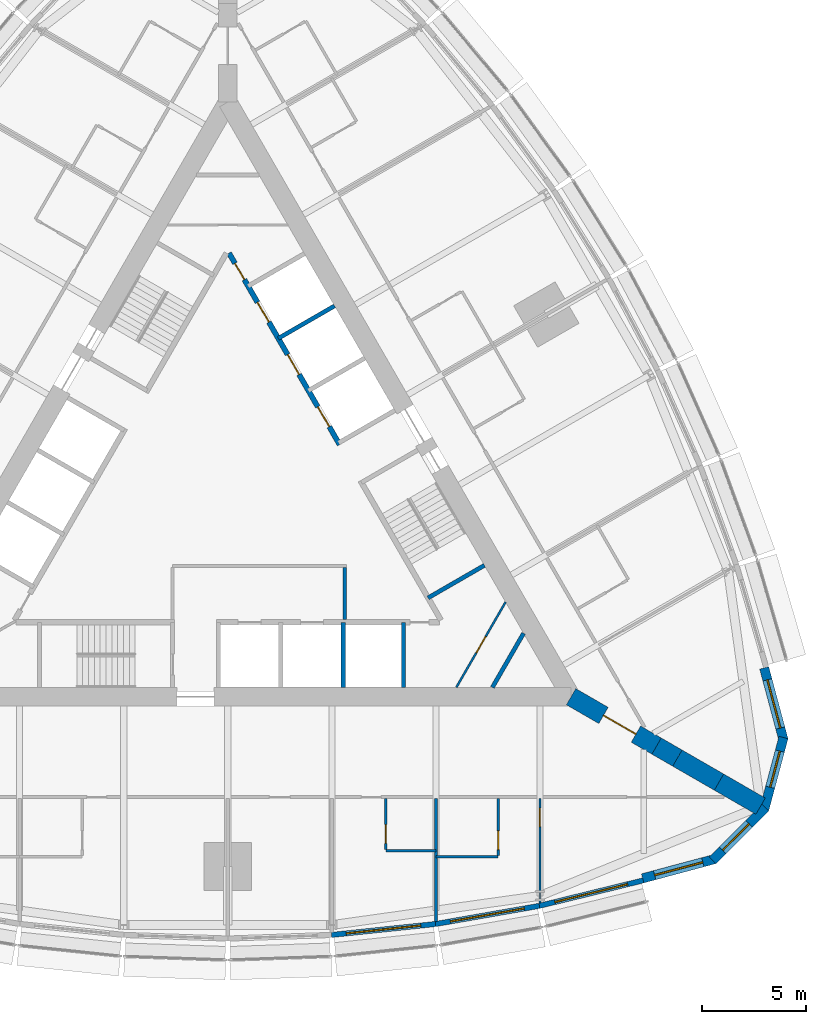
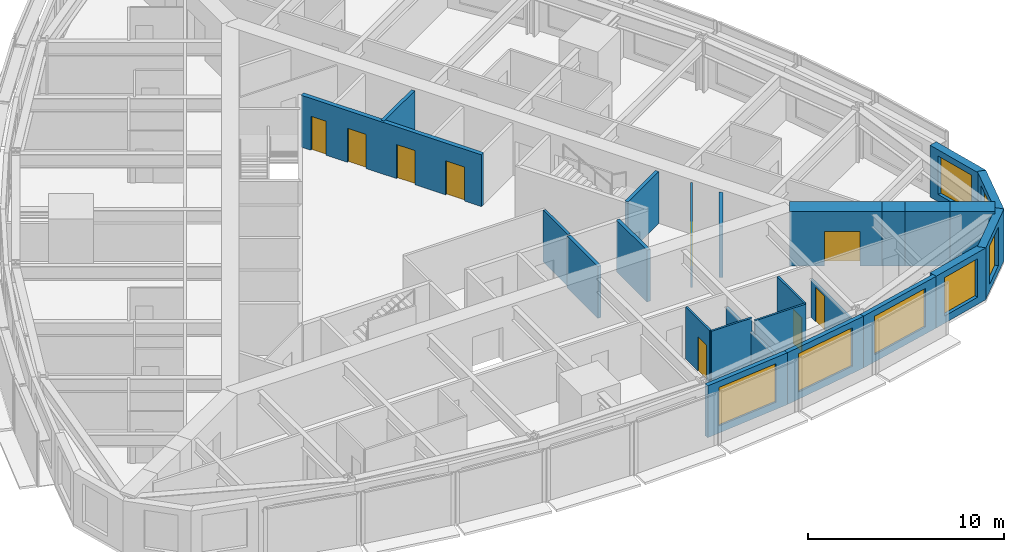
# One storey, part 10 of 14: 25 walls, 9 doors, 7 windows, 16 openings.
"""IFC4 building model written with IfcOpenShell, lengths in metres."""

from ifc_helpers import new_model, si_unit, direction, frame, frame_2d, origin, place, context, subcontext, project, spatial, polyline, rectangle, outline, extrude, material, layer, layer_set, type_object, element, fill, save


model = new_model("IFC4")

# Units and contexts
model_context = context("Model", 3, precision=1e-05, world=origin(), true_north=direction((0.0, 1.0)))
body_context = subcontext(model_context, "Body", "Model", "MODEL_VIEW")
ifc_project = project(units=[si_unit("LENGTHUNIT", "METRE"), si_unit("AREAUNIT", "SQUARE_METRE"), si_unit("VOLUMEUNIT", "CUBIC_METRE"), si_unit("PLANEANGLEUNIT", "RADIAN"), si_unit("MASSUNIT", "GRAM", prefix="KILO")], contexts=[model_context])

# Site, building, storey
site_placement = place(None, origin())
site = spatial("IfcSite", under=ifc_project, at=site_placement, CompositionType="ELEMENT")
building_placement = place(site_placement, origin())
building = spatial("IfcBuilding", under=site, at=building_placement, Name="Trikona Tower", CompositionType="ELEMENT")
storey_placement = place(building_placement, frame((0.0, 0.0, 158.89990234375)))
storey = spatial("IfcBuildingStorey", under=building, at=storey_placement, Name="L42", CompositionType="ELEMENT", Elevation=158.89990234375)

# Wall
ifc_material_1 = material(Name="Metal stud and cement board", Category="gypsum")
ifc_layer_1 = layer(ifc_material_1, 0.1201171875)
ifc_layer_set_1 = layer_set([ifc_layer_1], Name="Bathroom wall 120")
wall_type_1 = type_object("IfcWallType", Name="Bathroom wall 120", PredefinedType="PLUMBINGWALL", material=ifc_layer_set_1)
wall_1_placement = place(storey_placement, frame((7.60009765625, -16.92626953125, 0.0), z_axis=(0.0, 0.0, 1.0), x_axis=(1.0, 0.0, 0.0)))
element("IfcWall", 1, at=wall_1_placement, inside=storey, type_object=wall_type_1, Name="Bathroom wall 4203", PredefinedType="PLUMBINGWALL", context=body_context, shape_type="SweptSolid", body=[
    extrude(rectangle(XDim=2.39990234375, YDim=0.1201171875, at=frame_2d((1.199951171875, 0.0))), origin(), (0.0, 0.0, 1.0), 3.235107421875),
])

# Wall, opening, door
wall_2_placement = place(storey_placement, frame((7.60009765625, -14.42626953125, 0.0), z_axis=(0.0, 0.0, 1.0), x_axis=(0.0, -1.0, 0.0)))
wall_2 = element("IfcWall", 2, at=wall_2_placement, inside=storey, type_object=wall_type_1, Name="Bathroom wall 4203", PredefinedType="PLUMBINGWALL", context=body_context, shape_type="SweptSolid", body=[
    extrude(rectangle(XDim=2.43994140625, YDim=0.1201171875, at=frame_2d((1.219970703125, 0.0))), origin(), (0.0, 0.0, 1.0), 3.235107421875),
])
opening_1_placement = place(wall_2_placement, frame((1.25, 0.0, 0.0)))
opening_1 = element("IfcOpeningElement", 3, at=opening_1_placement, cuts=wall_2, Name="Opening D2", PredefinedType="OPENING", context=body_context, shape_type="SweptSolid", body=[
    extrude(rectangle(XDim=0.89990234375, YDim=2.1298828125, at=frame_2d((0.449951171875, 1.06494140625))), frame((0.0, 0.070068359375, 0.0), z_axis=(0.0, -1.0, 0.0), x_axis=(1.0, 0.0, 0.0)), (0.0, 0.0, 1.0), 0.14013671875),
])
ifc_material_2 = material(Name="Steel door frame with solid-core timber leaf", Category="steel")
door_type_1 = type_object("IfcDoorType", Name="Bathroom door 900x2130", OperationType="SLIDING_TO_LEFT", PredefinedType="DOOR", material=ifc_material_2)
door_1_placement = place(opening_1_placement, origin())
door_1 = element("IfcDoor", 4, at=door_1_placement, inside=storey, type_object=door_type_1, Name="Bathroom door 4203", OperationType="SLIDING_TO_LEFT", OverallHeight=2.1298828125, OverallWidth=0.89990234375, PredefinedType="DOOR", context=body_context, shape_type="SweptSolid", body=[
    extrude(rectangle(XDim=0.89990234375, YDim=2.1298828125, at=frame_2d((0.449951171875, 1.06494140625))), frame((0.0, 0.02490234375, 0.0), z_axis=(0.0, -1.0, 0.0), x_axis=(1.0, 0.0, 0.0)), (0.0, 0.0, 1.0), 0.050048828125),
])
fill(opening_1, door_1)

# Wall
wall_3_placement = place(storey_placement, frame((10.0, -17.226318359375, 0.0), z_axis=(0.0, 0.0, 1.0), x_axis=(1.0, 0.0, 0.0)))
element("IfcWall", 5, at=wall_3_placement, inside=storey, type_object=wall_type_1, Name="Bathroom wall 4204.1", PredefinedType="PLUMBINGWALL", context=body_context, shape_type="SweptSolid", body=[
    extrude(rectangle(XDim=3.0, YDim=0.1201171875, at=frame_2d((1.5, 0.0))), origin(), (0.0, 0.0, 1.0), 3.235107421875),
])

# Wall, opening, door
wall_4_placement = place(storey_placement, frame((13.0, -14.42626953125, 0.0), z_axis=(0.0, 0.0, 1.0), x_axis=(0.0, -1.0, 0.0)))
wall_4 = element("IfcWall", 6, at=wall_4_placement, inside=storey, type_object=wall_type_1, Name="Bathroom wall 4204.1", PredefinedType="PLUMBINGWALL", context=body_context, shape_type="SweptSolid", body=[
    extrude(rectangle(XDim=2.739990234375, YDim=0.1201171875, at=frame_2d((1.3701171875, 0.0))), origin(), (0.0, 0.0, 1.0), 3.235107421875),
])
opening_2_placement = place(wall_4_placement, frame((1.550048828125, 0.0, 0.0)))
opening_2 = element("IfcOpeningElement", 7, at=opening_2_placement, cuts=wall_4, Name="Opening D2", PredefinedType="OPENING", context=body_context, shape_type="SweptSolid", body=[
    extrude(rectangle(XDim=0.89990234375, YDim=2.1298828125, at=frame_2d((0.449951171875, 1.06494140625))), frame((0.0, 0.070068359375, 0.0), z_axis=(0.0, -1.0, 0.0), x_axis=(1.0, 0.0, 0.0)), (0.0, 0.0, 1.0), 0.14013671875),
])
door_2_placement = place(opening_2_placement, origin())
door_2 = element("IfcDoor", 8, at=door_2_placement, inside=storey, type_object=door_type_1, Name="Bathroom door 4204.1", OperationType="SLIDING_TO_LEFT", OverallHeight=2.1298828125, OverallWidth=0.89990234375, PredefinedType="DOOR", context=body_context, shape_type="SweptSolid", body=[
    extrude(rectangle(XDim=0.89990234375, YDim=2.1298828125, at=frame_2d((0.449951171875, 1.06494140625))), frame((0.0, 0.02490234375, 0.0), z_axis=(0.0, -1.0, 0.0), x_axis=(1.0, 0.0, 0.0)), (0.0, 0.0, 1.0), 0.050048828125),
])
fill(opening_2, door_2)

# Wall, opening, window
ifc_material_3 = material(Name="Brick-faced precast concrete", Category="masonry")
ifc_layer_2 = layer(ifc_material_3, 0.449951171875)
ifc_layer_set_2 = layer_set([ifc_layer_2], Name="Brick-faced corner wall 450")
wall_type_2 = type_object("IfcWallType", Name="Brick-faced corner wall 450", PredefinedType="SOLIDWALL", material=ifc_layer_set_2)
wall_5_placement = place(storey_placement, frame((19.94189453125, -18.2578125, 0.0), z_axis=(0.0, 0.0, 1.0), x_axis=(0.965924653531, 0.258823421857, 0.0)))
wall_5 = element("IfcWall", 9, at=wall_5_placement, inside=storey, type_object=wall_type_2, Name="External wall L42-08", PredefinedType="SOLIDWALL", context=body_context, shape_type="SweptSolid", body=[
    extrude(rectangle(XDim=3.58642578125, YDim=0.449951171875, at=frame_2d((1.793212890625, 0.0))), origin(), (0.0, 0.0, 1.0), 3.235107421875),
])
opening_3_placement = place(wall_5_placement, frame((0.593017578125, 0.0, 0.449951171875)))
opening_3 = element("IfcOpeningElement", 10, at=opening_3_placement, cuts=wall_5, Name="Opening W2424", PredefinedType="OPENING", context=body_context, shape_type="SweptSolid", body=[
    extrude(rectangle(XDim=2.39990234375, YDim=2.39990234375, at=frame_2d((1.199951171875, 1.199951171875))), frame((0.0, 0.23486328125, 0.0), z_axis=(0.0, -1.0, 0.0), x_axis=(1.0, 0.0, 0.0)), (0.0, 0.0, 1.0), 0.469970703125),
])
ifc_material_4 = material(Name="Aluminium-framed double glazing", Category="aluminium")
window_type_1 = type_object("IfcWindowType", Name="Window 2400x2400", PartitioningType="SINGLE_PANEL", PredefinedType="WINDOW", material=ifc_material_4)
window_1_placement = place(opening_3_placement, origin())
window_1 = element("IfcWindow", 11, at=window_1_placement, inside=storey, type_object=window_type_1, Name="Window 4204", OverallHeight=2.39990234375, OverallWidth=2.39990234375, PartitioningType="SINGLE_PANEL", PredefinedType="WINDOW", context=body_context, shape_type="SweptSolid", body=[
    extrude(rectangle(XDim=2.39990234375, YDim=2.39990234375, at=frame_2d((1.199951171875, 1.199951171875))), frame((0.0, 0.030029296875, 0.0), z_axis=(0.0, -1.0, 0.0), x_axis=(1.0, 0.0, 0.0)), (0.0, 0.0, 1.0), 0.06005859375),
])
fill(opening_3, window_1)

wall_6_placement = place(storey_placement, frame((23.304931640625, -17.387939453125, 0.0), z_axis=(0.0, 0.0, 1.0), x_axis=(0.707106781187, 0.707106781187, 0.0)))
wall_6 = element("IfcWall", 12, at=wall_6_placement, inside=storey, type_object=wall_type_2, Name="External wall L42-09", PredefinedType="SOLIDWALL", context=body_context, shape_type="SweptSolid", body=[
    extrude(outline(polyline([(3.586181640625, 0.22509765625), (3.527099609375, 0.22509765625), (3.03515625, 0.09326171875), (3.0, 0.22509765625), (0.0, 0.22509765625), (0.0, -0.22509765625), (3.586181640625, -0.22509765625), (3.586181640625, 0.22509765625)])), origin(), (0.0, 0.0, 1.0), 3.235107421875),
])
opening_4_placement = place(wall_6_placement, frame((0.6748046875, 0.0, 0.449951171875)))
opening_4 = element("IfcOpeningElement", 13, at=opening_4_placement, cuts=wall_6, Name="Opening W1824", PredefinedType="OPENING", context=body_context, shape_type="SweptSolid", body=[
    extrude(rectangle(XDim=1.800048828125, YDim=2.39990234375, at=frame_2d((0.89990234375, 1.199951171875))), frame((0.0, 0.23486328125, 0.0), z_axis=(0.0, -1.0, 0.0), x_axis=(1.0, 0.0, 0.0)), (0.0, 0.0, 1.0), 0.469970703125),
])
ifc_material_5 = material(Name="Aluminium-framed double glazing", Category="aluminium")
window_type_2 = type_object("IfcWindowType", Name="Window 1800x2400", PartitioningType="SINGLE_PANEL", PredefinedType="WINDOW", material=ifc_material_5)
window_2_placement = place(opening_4_placement, origin())
window_2 = element("IfcWindow", 14, at=window_2_placement, inside=storey, type_object=window_type_2, Name="Window 4204", OverallHeight=2.39990234375, OverallWidth=1.800048828125, PartitioningType="SINGLE_PANEL", PredefinedType="WINDOW", context=body_context, shape_type="SweptSolid", body=[
    extrude(rectangle(XDim=1.800048828125, YDim=2.39990234375, at=frame_2d((0.89990234375, 1.199951171875))), frame((0.0, 0.030029296875, 0.0), z_axis=(0.0, -1.0, 0.0), x_axis=(1.0, 0.0, 0.0)), (0.0, 0.0, 1.0), 0.06005859375),
])
fill(opening_4, window_2)

wall_7_placement = place(storey_placement, frame((25.78271484375, -14.952880859375, 0.0), z_axis=(0.0, 0.0, 1.0), x_axis=(0.258823421857, 0.965924653531, 0.0)))
wall_7 = element("IfcWall", 15, at=wall_7_placement, inside=storey, type_object=wall_type_2, Name="External wall L42-10", PredefinedType="SOLIDWALL", context=body_context, shape_type="SweptSolid", body=[
    extrude(outline(polyline([(3.58642578125, 0.22509765625), (0.58642578125, 0.22509765625), (0.551025390625, 0.09326171875), (0.0595703125, 0.22509765625), (0.0, 0.22509765625), (0.0, -0.22509765625), (3.58642578125, -0.22509765625), (3.58642578125, 0.22509765625)])), origin(), (0.0, 0.0, 1.0), 3.235107421875),
])
opening_5_placement = place(wall_7_placement, frame((1.111328125, 0.0, 0.449951171875)))
opening_5 = element("IfcOpeningElement", 16, at=opening_5_placement, cuts=wall_7, Name="Opening W1824", PredefinedType="OPENING", context=body_context, shape_type="SweptSolid", body=[
    extrude(rectangle(XDim=1.800048828125, YDim=2.39990234375, at=frame_2d((0.89990234375, 1.199951171875))), frame((0.0, 0.23486328125, 0.0), z_axis=(0.0, -1.0, 0.0), x_axis=(1.0, 0.0, 0.0)), (0.0, 0.0, 1.0), 0.469970703125),
])
window_3_placement = place(opening_5_placement, origin())
window_3 = element("IfcWindow", 17, at=window_3_placement, inside=storey, type_object=window_type_2, Name="Window 4205", OverallHeight=2.39990234375, OverallWidth=1.800048828125, PartitioningType="SINGLE_PANEL", PredefinedType="WINDOW", context=body_context, shape_type="SweptSolid", body=[
    extrude(rectangle(XDim=1.800048828125, YDim=2.39990234375, at=frame_2d((0.89990234375, 1.199951171875))), frame((0.0, 0.030029296875, 0.0), z_axis=(0.0, -1.0, 0.0), x_axis=(1.0, 0.0, 0.0)), (0.0, 0.0, 1.0), 0.06005859375),
])
fill(opening_5, window_3)

wall_8_placement = place(storey_placement, frame((26.7109375, -11.605224609375, 0.0), z_axis=(0.0, 0.0, 1.0), x_axis=(-0.258823421857, 0.965924653531, 0.0)))
wall_8 = element("IfcWall", 18, at=wall_8_placement, inside=storey, type_object=wall_type_2, Name="External wall L42-11", PredefinedType="SOLIDWALL", context=body_context, shape_type="SweptSolid", body=[
    extrude(rectangle(XDim=3.58642578125, YDim=0.449951171875, at=frame_2d((1.793212890625, 0.0))), origin(), (0.0, 0.0, 1.0), 3.235107421875),
])
opening_6_placement = place(wall_8_placement, frame((0.593017578125, 0.0, 0.449951171875)))
opening_6 = element("IfcOpeningElement", 19, at=opening_6_placement, cuts=wall_8, Name="Opening W2424", PredefinedType="OPENING", context=body_context, shape_type="SweptSolid", body=[
    extrude(rectangle(XDim=2.39990234375, YDim=2.39990234375, at=frame_2d((1.199951171875, 1.199951171875))), frame((0.0, 0.23486328125, 0.0), z_axis=(0.0, -1.0, 0.0), x_axis=(1.0, 0.0, 0.0)), (0.0, 0.0, 1.0), 0.469970703125),
])
window_4_placement = place(opening_6_placement, origin())
window_4 = element("IfcWindow", 20, at=window_4_placement, inside=storey, type_object=window_type_1, Name="Window 4205", OverallHeight=2.39990234375, OverallWidth=2.39990234375, PartitioningType="SINGLE_PANEL", PredefinedType="WINDOW", context=body_context, shape_type="SweptSolid", body=[
    extrude(rectangle(XDim=2.39990234375, YDim=2.39990234375, at=frame_2d((1.199951171875, 1.199951171875))), frame((0.0, 0.030029296875, 0.0), z_axis=(0.0, -1.0, 0.0), x_axis=(1.0, 0.0, 0.0)), (0.0, 0.0, 1.0), 0.06005859375),
])
fill(opening_6, window_4)

# Wall, opening, door
ifc_material_6 = material(Name="Concrete f'c 10000 psi", Category="concrete")
ifc_layer_3 = layer(ifc_material_6, 0.89990234375)
ifc_layer_set_3 = layer_set([ifc_layer_3], Name="Buttress wall 900")
wall_type_3 = type_object("IfcWallType", Name="Buttress wall 900", PredefinedType="SHEAR", material=ifc_layer_set_3)
wall_9_placement = place(storey_placement, frame((16.5, -9.5263671875, 0.0), z_axis=(0.0, 0.0, 1.0), x_axis=(0.866031398331, -0.499989616998, 0.0)))
wall_9 = element("IfcWall", 21, at=wall_9_placement, inside=storey, type_object=wall_type_3, Name="Buttress wall 1", PredefinedType="SHEAR", context=body_context, shape_type="SweptSolid", body=[
    extrude(rectangle(XDim=4.74609375, YDim=0.89990234375, at=frame_2d((2.373046875, 0.0))), origin(), (0.0, 0.0, 1.0), 3.400146484375),
])
opening_7_placement = place(wall_9_placement, frame((1.800048828125, 0.0, 0.0)))
opening_7 = element("IfcOpeningElement", 22, at=opening_7_placement, cuts=wall_9, Name="Opening D10", PredefinedType="OPENING", context=body_context, shape_type="SweptSolid", body=[
    extrude(rectangle(XDim=1.800048828125, YDim=2.1298828125, at=frame_2d((0.89990234375, 1.06494140625))), frame((0.0, 0.4599609375, 0.0), z_axis=(0.0, -1.0, 0.0), x_axis=(1.0, 0.0, 0.0)), (0.0, 0.0, 1.0), 0.919921875),
])
ifc_material_7 = material(Name="Hollow metal door and frame", Category="steel")
door_type_2 = type_object("IfcDoorType", Name="Cross-corridor door pair 1800x2130", OperationType="DOUBLE_DOOR_DOUBLE_SWING", PredefinedType="DOOR", material=ifc_material_7)
door_3_placement = place(opening_7_placement, origin())
door_3 = element("IfcDoor", 23, at=door_3_placement, inside=storey, type_object=door_type_2, Name="Cross-corridor door 1", OperationType="DOUBLE_DOOR_DOUBLE_SWING", OverallHeight=2.1298828125, OverallWidth=1.800048828125, PredefinedType="DOOR", context=body_context, shape_type="SweptSolid", body=[
    extrude(rectangle(XDim=1.800048828125, YDim=2.1298828125, at=frame_2d((0.89990234375, 1.06494140625))), frame((0.0, 0.02490234375, 0.0), z_axis=(0.0, -1.0, 0.0), x_axis=(1.0, 0.0, 0.0)), (0.0, 0.0, 1.0), 0.050048828125),
])
fill(opening_7, door_3)

# Walls
wall_10_placement = place(storey_placement, frame((20.6103515625, -11.8994140625, 0.0), z_axis=(0.0, 0.0, 1.0), x_axis=(0.866009537788, -0.500027479704, 0.0)))
element("IfcWall", 24, at=wall_10_placement, inside=storey, type_object=wall_type_3, Name="Buttress wall 1 part 2", PredefinedType="SHEAR", context=body_context, shape_type="SweptSolid", body=[
    extrude(rectangle(XDim=1.15478515625, YDim=0.89990234375, at=frame_2d((0.577392578125, 0.0))), origin(), (0.0, 0.0, 1.0), 3.400146484375),
])
for number, where, z_axis, x_axis, name in (
    (25, (21.6103515625, -12.476806640625, 0.0), (0.0, 0.0, 1.0), (0.866055313784, -0.499948190782, 0.0), "Buttress wall 1 part 3"),
    (26, (23.6103515625, -13.63134765625, 0.0), (0.0, 0.0, 1.0), (0.866009537788, -0.500027479704, 0.0), "Buttress wall 1 part 4"),
):
    element("IfcWall", number, at=place(storey_placement, frame(where, z_axis=z_axis, x_axis=x_axis)), inside=storey, type_object=wall_type_3, Name=name, PredefinedType="SHEAR", context=body_context, shape_type="SweptSolid", body=[
        extrude(rectangle(XDim=2.309326171875, YDim=0.89990234375, at=frame_2d((1.15478515625, 0.0))), origin(), (0.0, 0.0, 1.0), 3.400146484375),
    ])

# Wall, openings, doors
ifc_material_8 = material(Name="Concrete f'c 8000 psi", Category="concrete")
ifc_layer_4 = layer(ifc_material_8, 0.25)
ifc_layer_set_4 = layer_set([ifc_layer_4], Name="Hub wall 250")
wall_type_4 = type_object("IfcWallType", Name="Hub wall 250", PredefinedType="SOLIDWALL", material=ifc_layer_set_4)
wall_11_placement = place(storey_placement, frame((5.37890625, 2.5859375, 0.0), z_axis=(0.0, 0.0, 1.0), x_axis=(-0.500001375892, 0.866024609411, 0.0)))
wall_11 = element("IfcWall", 27, at=wall_11_placement, inside=storey, type_object=wall_type_4, Name="Lift lobby wall B2", PredefinedType="SOLIDWALL", context=body_context, shape_type="SweptSolid", body=[
    extrude(rectangle(XDim=10.6328125, YDim=0.25, at=frame_2d((5.31640625, 0.0))), origin(), (0.0, 0.0, 1.0), 3.235107421875),
])
opening_8_placement = place(wall_11_placement, frame((9.1640625, 0.0, 0.0)))
opening_8 = element("IfcOpeningElement", 28, at=opening_8_placement, cuts=wall_11, Name="Opening D14", PredefinedType="OPENING", context=body_context, shape_type="SweptSolid", body=[
    extrude(rectangle(XDim=0.89990234375, YDim=2.1298828125, at=frame_2d((0.449951171875, 1.06494140625))), frame((0.0, 0.135009765625, 0.0), z_axis=(0.0, -1.0, 0.0), x_axis=(1.0, 0.0, 0.0)), (0.0, 0.0, 1.0), 0.27001953125),
])
opening_9_placement = place(wall_11_placement, frame((1.0, 0.0, 0.0)))
opening_9 = element("IfcOpeningElement", 29, at=opening_9_placement, cuts=wall_11, Name="Opening LD", PredefinedType="OPENING", context=body_context, shape_type="SweptSolid", body=[
    extrude(rectangle(XDim=1.10009765625, YDim=2.1298828125, at=frame_2d((0.550048828125, 1.06494140625))), frame((0.0, 0.135009765625, 0.0), z_axis=(0.0, -1.0, 0.0), x_axis=(1.0, 0.0, 0.0)), (0.0, 0.0, 1.0), 0.27001953125),
])
opening_10_placement = place(wall_11_placement, frame((3.89990234375, 0.0, 0.0)))
opening_10 = element("IfcOpeningElement", 30, at=opening_10_placement, cuts=wall_11, Name="Opening LD", PredefinedType="OPENING", context=body_context, shape_type="SweptSolid", body=[
    extrude(rectangle(XDim=1.10009765625, YDim=2.1298828125, at=frame_2d((0.550048828125, 1.06494140625))), frame((0.0, 0.135009765625, 0.0), z_axis=(0.0, -1.0, 0.0), x_axis=(1.0, 0.0, 0.0)), (0.0, 0.0, 1.0), 0.27001953125),
])
opening_11_placement = place(wall_11_placement, frame((6.800048828125, 0.0, 0.0)))
opening_11 = element("IfcOpeningElement", 31, at=opening_11_placement, cuts=wall_11, Name="Opening LD", PredefinedType="OPENING", context=body_context, shape_type="SweptSolid", body=[
    extrude(rectangle(XDim=1.10009765625, YDim=2.1298828125, at=frame_2d((0.550048828125, 1.06494140625))), frame((0.0, 0.135009765625, 0.0), z_axis=(0.0, -1.0, 0.0), x_axis=(1.0, 0.0, 0.0)), (0.0, 0.0, 1.0), 0.27001953125),
])
ifc_material_9 = material(Name="Stainless steel lift landing door", Category="steel")
door_type_3 = type_object("IfcDoorType", Name="Lift landing door 1100x2130", OperationType="DOUBLE_DOOR_SLIDING", PredefinedType="USERDEFINED", material=ifc_material_9)
door_4_placement = place(opening_9_placement, origin())
door_4 = element("IfcDoor", 32, at=door_4_placement, inside=storey, type_object=door_type_3, Name="Lift landing door L2-1", ObjectType="LIFT LANDING DOOR", OperationType="DOUBLE_DOOR_SLIDING", OverallHeight=2.1298828125, OverallWidth=1.10009765625, PredefinedType="USERDEFINED", context=body_context, shape_type="SweptSolid", body=[
    extrude(rectangle(XDim=1.10009765625, YDim=2.1298828125, at=frame_2d((0.550048828125, 1.06494140625))), frame((0.0, 0.02490234375, 0.0), z_axis=(0.0, -1.0, 0.0), x_axis=(1.0, 0.0, 0.0)), (0.0, 0.0, 1.0), 0.050048828125),
])
fill(opening_9, door_4)
door_5_placement = place(opening_10_placement, origin())
door_5 = element("IfcDoor", 33, at=door_5_placement, inside=storey, type_object=door_type_3, Name="Lift landing door L2-2", ObjectType="LIFT LANDING DOOR", OperationType="DOUBLE_DOOR_SLIDING", OverallHeight=2.1298828125, OverallWidth=1.10009765625, PredefinedType="USERDEFINED", context=body_context, shape_type="SweptSolid", body=[
    extrude(rectangle(XDim=1.10009765625, YDim=2.1298828125, at=frame_2d((0.550048828125, 1.06494140625))), frame((0.0, 0.02490234375, 0.0), z_axis=(0.0, -1.0, 0.0), x_axis=(1.0, 0.0, 0.0)), (0.0, 0.0, 1.0), 0.050048828125),
])
fill(opening_10, door_5)
door_6_placement = place(opening_11_placement, origin())
door_6 = element("IfcDoor", 34, at=door_6_placement, inside=storey, type_object=door_type_3, Name="Lift landing door L2-3", ObjectType="LIFT LANDING DOOR", OperationType="DOUBLE_DOOR_SLIDING", OverallHeight=2.1298828125, OverallWidth=1.10009765625, PredefinedType="USERDEFINED", context=body_context, shape_type="SweptSolid", body=[
    extrude(rectangle(XDim=1.10009765625, YDim=2.1298828125, at=frame_2d((0.550048828125, 1.06494140625))), frame((0.0, 0.02490234375, 0.0), z_axis=(0.0, -1.0, 0.0), x_axis=(1.0, 0.0, 0.0)), (0.0, 0.0, 1.0), 0.050048828125),
])
fill(opening_11, door_6)
ifc_material_10 = material(Name="Hollow metal door and frame", Category="steel")
door_type_4 = type_object("IfcDoorType", Name="Service room door 900x2130", OperationType="SINGLE_SWING_LEFT", PredefinedType="DOOR", material=ifc_material_10)
door_7_placement = place(opening_8_placement, origin())
door_7 = element("IfcDoor", 35, at=door_7_placement, inside=storey, type_object=door_type_4, Name="Door Housekeeping store HKS", OperationType="SINGLE_SWING_RIGHT", OverallHeight=2.1298828125, OverallWidth=0.89990234375, PredefinedType="DOOR", context=body_context, shape_type="SweptSolid", body=[
    extrude(rectangle(XDim=0.89990234375, YDim=2.1298828125, at=frame_2d((0.449951171875, 1.06494140625))), frame((0.0, 0.02490234375, 0.0), z_axis=(0.0, -1.0, 0.0), x_axis=(1.0, 0.0, 0.0)), (0.0, 0.0, 1.0), 0.050048828125),
])
fill(opening_8, door_7)

# Wall, opening, window
ifc_material_11 = material(Name="Insulated precast concrete spandrel panel", Category="concrete")
ifc_layer_5 = layer(ifc_material_11, 0.25)
ifc_layer_set_5 = layer_set([ifc_layer_5], Name="Inner skin wall 250")
wall_type_5 = type_object("IfcWallType", Name="Inner skin wall 250", PredefinedType="STANDARD", material=ifc_layer_set_5)
wall_12_placement = place(storey_placement, frame((4.98681640625, -20.975830078125, 0.0), z_axis=(0.0, 0.0, 1.0), x_axis=(0.994534683851, 0.104406717299, 0.0)))
wall_12 = element("IfcWall", 36, at=wall_12_placement, inside=storey, type_object=wall_type_5, Name="External wall L42-05", PredefinedType="STANDARD", context=body_context, shape_type="SweptSolid", body=[
    extrude(rectangle(XDim=5.027587890625, YDim=0.25, at=frame_2d((2.513671875, 0.0))), origin(), (0.0, 0.0, 1.0), 3.235107421875),
])
opening_12_placement = place(wall_12_placement, frame((0.713623046875, 0.0, 0.449951171875)))
opening_12 = element("IfcOpeningElement", 37, at=opening_12_placement, cuts=wall_12, Name="Opening W3624", PredefinedType="OPENING", context=body_context, shape_type="SweptSolid", body=[
    extrude(rectangle(XDim=3.60009765625, YDim=2.39990234375, at=frame_2d((1.800048828125, 1.199951171875))), frame((0.0, 0.135009765625, 0.0), z_axis=(0.0, -1.0, 0.0), x_axis=(1.0, 0.0, 0.0)), (0.0, 0.0, 1.0), 0.27001953125),
])
ifc_material_12 = material(Name="Aluminium-framed double glazing", Category="aluminium")
window_type_3 = type_object("IfcWindowType", Name="Window 3600x2400", PartitioningType="SINGLE_PANEL", PredefinedType="WINDOW", material=ifc_material_12)
window_5_placement = place(opening_12_placement, origin())
window_5 = element("IfcWindow", 38, at=window_5_placement, inside=storey, type_object=window_type_3, Name="Window 4203", OverallHeight=2.39990234375, OverallWidth=3.60009765625, PartitioningType="SINGLE_PANEL", PredefinedType="WINDOW", context=body_context, shape_type="SweptSolid", body=[
    extrude(rectangle(XDim=3.60009765625, YDim=2.39990234375, at=frame_2d((1.800048828125, 1.199951171875))), frame((0.0, 0.030029296875, 0.0), z_axis=(0.0, -1.0, 0.0), x_axis=(1.0, 0.0, 0.0)), (0.0, 0.0, 1.0), 0.06005859375),
])
fill(opening_12, window_5)

wall_13_placement = place(storey_placement, frame((9.978515625, -20.4521484375, 0.0), z_axis=(0.0, 0.0, 1.0), x_axis=(0.985030467156, 0.172380331752, 0.0)))
wall_13 = element("IfcWall", 39, at=wall_13_placement, inside=storey, type_object=wall_type_5, Name="External wall L42-06", PredefinedType="STANDARD", context=body_context, shape_type="SweptSolid", body=[
    extrude(rectangle(XDim=5.075927734375, YDim=0.25, at=frame_2d((2.5380859375, 0.0))), origin(), (0.0, 0.0, 1.0), 3.235107421875),
])
opening_13_placement = place(wall_13_placement, frame((0.738037109375, 0.0, 0.449951171875)))
opening_13 = element("IfcOpeningElement", 40, at=opening_13_placement, cuts=wall_13, Name="Opening W3624", PredefinedType="OPENING", context=body_context, shape_type="SweptSolid", body=[
    extrude(rectangle(XDim=3.60009765625, YDim=2.39990234375, at=frame_2d((1.800048828125, 1.199951171875))), frame((0.0, 0.135009765625, 0.0), z_axis=(0.0, -1.0, 0.0), x_axis=(1.0, 0.0, 0.0)), (0.0, 0.0, 1.0), 0.27001953125),
])
window_6_placement = place(opening_13_placement, origin())
window_6 = element("IfcWindow", 41, at=window_6_placement, inside=storey, type_object=window_type_3, Name="Window 4204.1", OverallHeight=2.39990234375, OverallWidth=3.60009765625, PartitioningType="SINGLE_PANEL", PredefinedType="WINDOW", context=body_context, shape_type="SweptSolid", body=[
    extrude(rectangle(XDim=3.60009765625, YDim=2.39990234375, at=frame_2d((1.800048828125, 1.199951171875))), frame((0.0, 0.030029296875, 0.0), z_axis=(0.0, -1.0, 0.0), x_axis=(1.0, 0.0, 0.0)), (0.0, 0.0, 1.0), 0.06005859375),
])
fill(opening_13, window_6)

wall_14_placement = place(storey_placement, frame((14.97021484375, -19.578857421875, 0.0), z_axis=(0.0, 0.0, 1.0), x_axis=(0.971270024053, 0.237980126011, 0.0)))
wall_14 = element("IfcWall", 42, at=wall_14_placement, inside=storey, type_object=wall_type_5, Name="External wall L42-07", PredefinedType="STANDARD", context=body_context, shape_type="SweptSolid", body=[
    extrude(rectangle(XDim=5.14794921875, YDim=0.25, at=frame_2d((2.573974609375, 0.0))), origin(), (0.0, 0.0, 1.0), 3.235107421875),
])
opening_14_placement = place(wall_14_placement, frame((0.77392578125, 0.0, 0.449951171875)))
opening_14 = element("IfcOpeningElement", 43, at=opening_14_placement, cuts=wall_14, Name="Opening W3624", PredefinedType="OPENING", context=body_context, shape_type="SweptSolid", body=[
    extrude(rectangle(XDim=3.60009765625, YDim=2.39990234375, at=frame_2d((1.800048828125, 1.199951171875))), frame((0.0, 0.135009765625, 0.0), z_axis=(0.0, -1.0, 0.0), x_axis=(1.0, 0.0, 0.0)), (0.0, 0.0, 1.0), 0.27001953125),
])
window_7_placement = place(opening_14_placement, origin())
window_7 = element("IfcWindow", 44, at=window_7_placement, inside=storey, type_object=window_type_3, Name="Window 4204", OverallHeight=2.39990234375, OverallWidth=3.60009765625, PartitioningType="SINGLE_PANEL", PredefinedType="WINDOW", context=body_context, shape_type="SweptSolid", body=[
    extrude(rectangle(XDim=3.60009765625, YDim=2.39990234375, at=frame_2d((1.800048828125, 1.199951171875))), frame((0.0, 0.030029296875, 0.0), z_axis=(0.0, -1.0, 0.0), x_axis=(1.0, 0.0, 0.0)), (0.0, 0.0, 1.0), 0.06005859375),
])
fill(opening_14, window_7)

# Walls
ifc_material_13 = material(Name="Metal stud and gypsum board, 2-hour shaft wall", Category="gypsum")
ifc_layer_6 = layer(ifc_material_13, 0.14990234375)
ifc_layer_set_6 = layer_set([ifc_layer_6], Name="Lobby wall 150")
wall_type_6 = type_object("IfcWallType", Name="Lobby wall 150", PredefinedType="PARTITIONING", material=ifc_layer_set_6)
wall_15_placement = place(storey_placement, frame((5.625, -5.826416015625, 0.0), z_axis=(0.0, 0.0, 1.0), x_axis=(0.0, 1.0, 0.0)))
element("IfcWall", 45, at=wall_15_placement, inside=storey, type_object=wall_type_6, Name="Fire service lift lobby wall 3", PredefinedType="PARTITIONING", context=body_context, shape_type="SweptSolid", body=[
    extrude(rectangle(XDim=2.5, YDim=0.14990234375, at=frame_2d((1.25, 0.0))), origin(), (0.0, 0.0, 1.0), 3.235107421875),
])
ifc_material_14 = material(Name="Metal stud and gypsum board, 1-hour acoustic", Category="gypsum")
ifc_layer_7 = layer(ifc_material_14, 0.14990234375)
ifc_layer_set_7 = layer_set([ifc_layer_7], Name="Party wall 150")
wall_type_7 = type_object("IfcWallType", Name="Party wall 150", PredefinedType="PARTITIONING", material=ifc_layer_set_7)
wall_16_placement = place(storey_placement, frame((10.0, -14.42626953125, 0.0), z_axis=(0.0, 0.0, 1.0), x_axis=(0.0, -1.0, 0.0)))
element("IfcWall", 46, at=wall_16_placement, inside=storey, type_object=wall_type_7, Name="Partition L42 F1 u10", PredefinedType="PARTITIONING", context=body_context, shape_type="SweptSolid", body=[
    extrude(rectangle(XDim=5.89501953125, YDim=0.14990234375, at=frame_2d((2.947509765625, 0.0))), origin(), (0.0, 0.0, 1.0), 2.389404296875),
])
ifc_material_15 = material(Name="Concrete f'c 8000 psi", Category="concrete")
ifc_layer_8 = layer(ifc_material_15, 0.199951171875)
ifc_layer_set_8 = layer_set([ifc_layer_8], Name="Shaft wall 200")
wall_type_8 = type_object("IfcWallType", Name="Shaft wall 200", PredefinedType="SOLIDWALL", material=ifc_layer_set_8)
for number, where, z_axis, x_axis, name in (
    (47, (5.550048828125, -5.951416015625, 0.0), (0.0, 0.0, 1.0), (0.0, -1.0, 0.0), "Shaft wall A5"),
    (48, (8.449951171875, -5.951416015625, 0.0), (0.0, 0.0, 1.0), (0.0, -1.0, 0.0), "Shaft wall A6"),
    (49, (2.428955078125, 7.695556640625, 0.0), (0.0, 0.0, 1.0), (0.866022959057, 0.500004234368, 0.0), "Shaft wall B5"),
):
    element("IfcWall", number, at=place(storey_placement, frame(where, z_axis=z_axis, x_axis=x_axis)), inside=storey, type_object=wall_type_8, Name=name, PredefinedType="SOLIDWALL", context=body_context, shape_type="SweptSolid", body=[
        extrude(rectangle(XDim=3.125, YDim=0.199951171875, at=frame_2d((1.5625, 0.0))), origin(), (0.0, 0.0, 1.0), 3.235107421875),
    ])
wall_17_placement = place(storey_placement, frame((14.219482421875, -6.476318359375, 0.0), z_axis=(0.0, 0.0, 1.0), x_axis=(-0.499952404951, -0.866052881055, 0.0)))
element("IfcWall", 50, at=wall_17_placement, inside=storey, type_object=wall_type_8, Name="Riser wall L42-RS1", PredefinedType="SOLIDWALL", context=body_context, shape_type="SweptSolid", body=[
    extrude(rectangle(XDim=3.002197265625, YDim=0.199951171875, at=frame_2d((1.5009765625, 0.0))), origin(), (0.0, 0.0, 1.0), 3.235107421875),
])
ifc_material_16 = material(Name="Concrete f'c 8000 psi", Category="concrete")
ifc_layer_9 = layer(ifc_material_16, 0.199951171875)
ifc_layer_set_9 = layer_set([ifc_layer_9], Name="Shaft wall 200 load-bearing")
wall_type_9 = type_object("IfcWallType", Name="Shaft wall 200 load-bearing", PredefinedType="SOLIDWALL", material=ifc_layer_set_9)
wall_18_placement = place(storey_placement, frame((9.62890625, -4.775390625, 0.0), z_axis=(0.0, 0.0, 1.0), x_axis=(0.866022959057, 0.500004234368, 0.0)))
element("IfcWall", 51, at=wall_18_placement, inside=storey, type_object=wall_type_9, Name="Shaft wall B1", PredefinedType="SOLIDWALL", context=body_context, shape_type="SweptSolid", body=[
    extrude(rectangle(XDim=3.125, YDim=0.199951171875, at=frame_2d((1.5625, 0.0))), origin(), (0.0, 0.0, 1.0), 3.235107421875),
])

# Wall, opening, door
ifc_material_17 = material(Name="Metal stud and gypsum board, acoustic", Category="gypsum")
ifc_layer_10 = layer(ifc_material_17, 0.10009765625)
ifc_layer_set_10 = layer_set([ifc_layer_10], Name="Suite partition 100")
wall_type_10 = type_object("IfcWallType", Name="Suite partition 100", PredefinedType="PARTITIONING", material=ifc_layer_set_10)
wall_19_placement = place(storey_placement, frame((15.0, -14.42626953125, 0.0), z_axis=(0.0, 0.0, 1.0), x_axis=(0.0, -1.0, 0.0)))
wall_19 = element("IfcWall", 52, at=wall_19_placement, inside=storey, type_object=wall_type_10, Name="Suite partition L42 F1 u15", PredefinedType="PARTITIONING", context=body_context, shape_type="SweptSolid", body=[
    extrude(rectangle(XDim=5.0166015625, YDim=0.10009765625, at=frame_2d((2.50830078125, 0.0))), origin(), (0.0, 0.0, 1.0), 2.389404296875),
])
opening_15_placement = place(wall_19_placement, frame((0.449951171875, 0.0, 0.0)))
opening_15 = element("IfcOpeningElement", 53, at=opening_15_placement, cuts=wall_19, Name="Opening D13", PredefinedType="OPENING", context=body_context, shape_type="SweptSolid", body=[
    extrude(rectangle(XDim=0.89990234375, YDim=2.1298828125, at=frame_2d((0.449951171875, 1.06494140625))), frame((0.0, 0.06005859375, 0.0), z_axis=(0.0, -1.0, 0.0), x_axis=(1.0, 0.0, 0.0)), (0.0, 0.0, 1.0), 0.1201171875),
])
ifc_material_18 = material(Name="Steel door frame with solid-core timber leaf", Category="steel")
door_type_5 = type_object("IfcDoorType", Name="Suite door 900x2130", OperationType="SINGLE_SWING_LEFT", PredefinedType="DOOR", material=ifc_material_18)
door_8_placement = place(opening_15_placement, origin())
door_8 = element("IfcDoor", 54, at=door_8_placement, inside=storey, type_object=door_type_5, Name="Suite door 4204", OperationType="SINGLE_SWING_LEFT", OverallHeight=2.1298828125, OverallWidth=0.89990234375, PredefinedType="DOOR", context=body_context, shape_type="SweptSolid", body=[
    extrude(rectangle(XDim=0.89990234375, YDim=2.1298828125, at=frame_2d((0.449951171875, 1.06494140625))), frame((0.0, 0.02490234375, 0.0), z_axis=(0.0, -1.0, 0.0), x_axis=(1.0, 0.0, 0.0)), (0.0, 0.0, 1.0), 0.050048828125),
])
fill(opening_15, door_8)

wall_20_placement = place(storey_placement, frame((13.353515625, -4.976318359375, 0.0), z_axis=(0.0, 0.0, 1.0), x_axis=(-0.499999210213, -0.866025859768, 0.0)))
wall_20 = element("IfcWall", 55, at=wall_20_placement, inside=storey, type_object=wall_type_10, Name="Store partition L42-RS1", PredefinedType="PARTITIONING", context=body_context, shape_type="SweptSolid", body=[
    extrude(rectangle(XDim=4.734375, YDim=0.10009765625, at=frame_2d((2.3671875, 0.0))), origin(), (0.0, 0.0, 1.0), 3.235107421875),
])
opening_16_placement = place(wall_20_placement, frame((1.917236328125, 0.0, 0.0)))
opening_16 = element("IfcOpeningElement", 56, at=opening_16_placement, cuts=wall_20, Name="Opening D15", PredefinedType="OPENING", context=body_context, shape_type="SweptSolid", body=[
    extrude(rectangle(XDim=0.89990234375, YDim=2.1298828125, at=frame_2d((0.449951171875, 1.06494140625))), frame((0.0, 0.06005859375, 0.0), z_axis=(0.0, -1.0, 0.0), x_axis=(1.0, 0.0, 0.0)), (0.0, 0.0, 1.0), 0.1201171875),
])
ifc_material_19 = material(Name="Steel door frame with solid-core timber leaf", Category="steel")
door_type_6 = type_object("IfcDoorType", Name="Store door 900x2130", OperationType="SINGLE_SWING_LEFT", PredefinedType="DOOR", material=ifc_material_19)
door_9_placement = place(opening_16_placement, origin())
door_9 = element("IfcDoor", 57, at=door_9_placement, inside=storey, type_object=door_type_6, Name="Door Storage STO", OperationType="SINGLE_SWING_RIGHT", OverallHeight=2.1298828125, OverallWidth=0.89990234375, PredefinedType="DOOR", context=body_context, shape_type="SweptSolid", body=[
    extrude(rectangle(XDim=0.89990234375, YDim=2.1298828125, at=frame_2d((0.449951171875, 1.06494140625))), frame((0.0, 0.02490234375, 0.0), z_axis=(0.0, -1.0, 0.0), x_axis=(1.0, 0.0, 0.0)), (0.0, 0.0, 1.0), 0.050048828125),
])
fill(opening_16, door_9)

save(model, "model.ifc")
